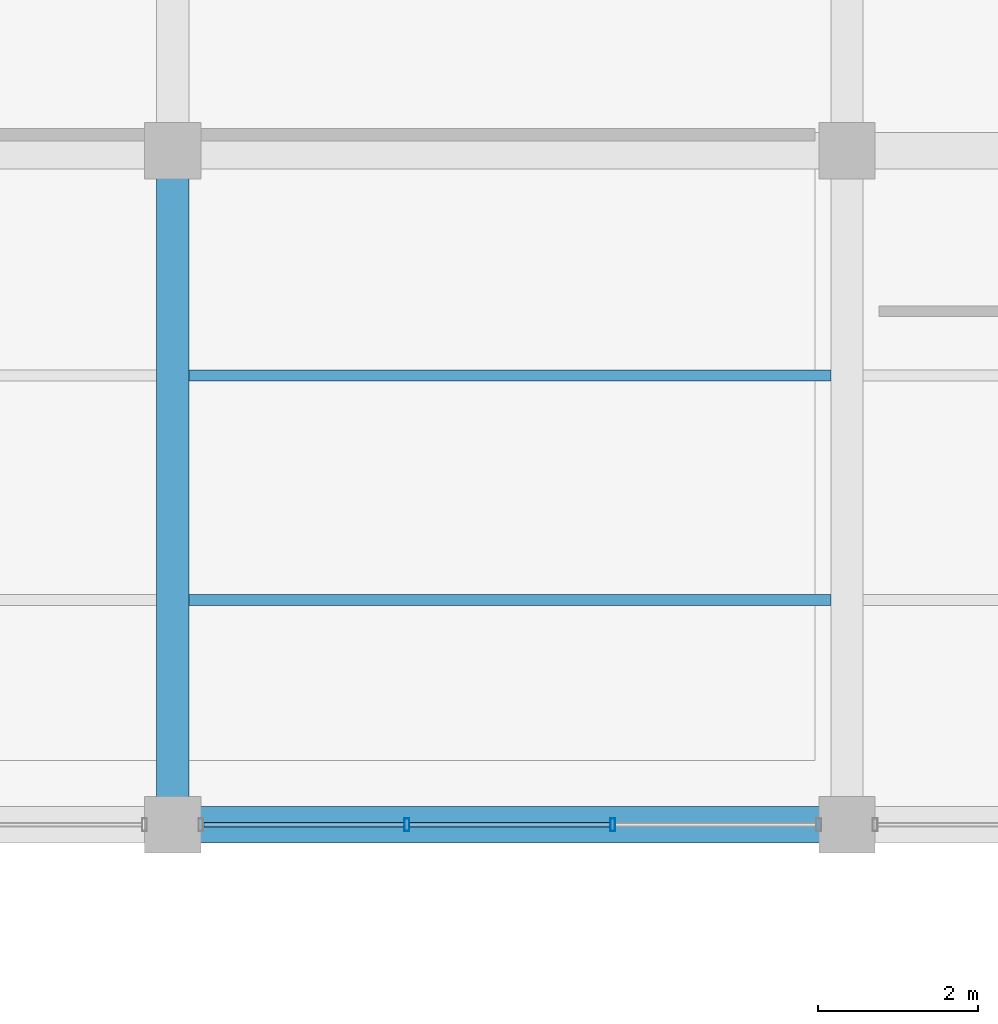
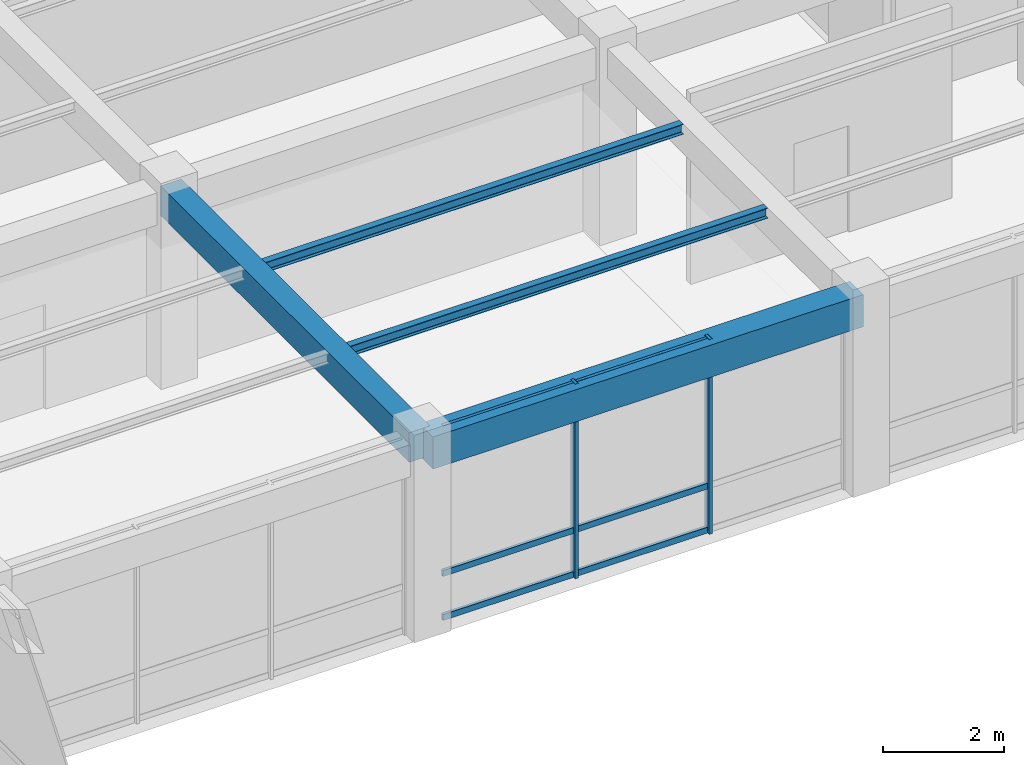
# One storey, part 14 of 152: 8 members, 4 beams, 1 element without a shape of its own.
"""IFC4 building model written with IfcOpenShell, lengths in metres."""

from ifc_helpers import new_model, si_unit, direction, frame, origin, origin_2d, place, context, subcontext, project, spatial, rectangle, hollow_rectangle, i_section, extrude, material, material_profile, profile_set, type_object, element, aggregate, save


model = new_model("IFC4")

# Units and contexts
model_context = context("Model", 3, precision=1e-05, world=origin(), true_north=direction((0.0, 1.0)))
body_context = subcontext(model_context, "Body", "Model", "MODEL_VIEW")
ifc_project = project(units=[si_unit("LENGTHUNIT", "METRE"), si_unit("AREAUNIT", "SQUARE_METRE"), si_unit("VOLUMEUNIT", "CUBIC_METRE"), si_unit("PLANEANGLEUNIT", "RADIAN"), si_unit("MASSUNIT", "GRAM", prefix="KILO"), si_unit("THERMODYNAMICTEMPERATUREUNIT", "KELVIN"), si_unit("POWERUNIT", "WATT")], contexts=[model_context])

# Site, building, storey
site_placement = place(None, origin())
site = spatial("IfcSite", under=ifc_project, at=site_placement, CompositionType="ELEMENT")
building_placement = place(site_placement, origin())
building = spatial("IfcBuilding", under=site, at=building_placement, Name="Darbajah Civic Hall", CompositionType="ELEMENT")
storey_placement = place(building_placement, frame((0.0, 0.0, 5.39990234375)))
storey = spatial("IfcBuildingStorey", under=building, at=storey_placement, Name="L01", CompositionType="ELEMENT", Elevation=5.39990234375)

# Curtain wall, members
ifc_material_1 = material(Name="Anodised Bronze Aluminium and Low-E Glazing", Category="aluminium")
curtain_wall_type = type_object("IfcCurtainWallType", Name="Unitised Curtain Wall CW-99 7700x3950", PredefinedType="USERDEFINED", material=ifc_material_1)
curtain_wall_placement = place(storey_placement, origin())
curtain_wall = element("IfcCurtainWall", 1, at=curtain_wall_placement, inside=storey, type_object=curtain_wall_type, Name="L01 unitised curtain wall CW-V5-L01-S2-B1", ObjectType="UNITISED CURTAIN WALL", PredefinedType="USERDEFINED")
ifc_material_2 = material(Name="Anodised Bronze Aluminium", Category="aluminium")
ifc_material_profile_1 = material_profile(ifc_material_2, hollow_rectangle(XDim=0.06005859375, YDim=0.159912109375, WallThickness=0.00341796875, at=origin_2d()), Name="ALU MULLION 60x160")
ifc_profile_set_1 = profile_set([ifc_material_profile_1], Name="Anodised Bronze Aluminium")
member_type_1 = type_object("IfcMemberType", Name="ALU MULLION 60x160", PredefinedType="MULLION", material=ifc_profile_set_1)
member_1_placement = place(storey_placement, frame((28.1171875, 16.800048828125, 0.0), z_axis=(0.0, 0.0, 1.0), x_axis=(1.0, 0.0, 0.0)))
member_1 = element("IfcMember", 2, at=member_1_placement, type_object=member_type_1, Name="CW-V5-L01-S2-B1 mullion 2", PredefinedType="MULLION", context=body_context, shape_type="SweptSolid", body=[
    extrude(hollow_rectangle(XDim=0.06005859375, YDim=0.159912109375, WallThickness=0.00341796875, at=origin_2d()), origin(), (0.0, 0.0, 1.0), 3.940185546875),
])
member_2_placement = place(storey_placement, frame((30.6826171875, 16.800048828125, 0.0), z_axis=(0.0, 0.0, 1.0), x_axis=(1.0, 0.0, 0.0)))
member_2 = element("IfcMember", 3, at=member_2_placement, type_object=member_type_1, Name="CW-V5-L01-S2-B1 mullion 3", PredefinedType="MULLION", context=body_context, shape_type="SweptSolid", body=[
    extrude(hollow_rectangle(XDim=0.06005859375, YDim=0.159912109375, WallThickness=0.00341796875, at=origin_2d()), origin(), (0.0, 0.0, 1.0), 3.940185546875),
])
ifc_material_profile_2 = material_profile(ifc_material_2, hollow_rectangle(XDim=0.06005859375, YDim=0.1201171875, WallThickness=0.003173828125, at=origin_2d()), Name="ALU TRANSOM 60x120")
ifc_profile_set_2 = profile_set([ifc_material_profile_2], Name="Anodised Bronze Aluminium")
member_type_2 = type_object("IfcMemberType", Name="ALU TRANSOM 60x120", PredefinedType="USERDEFINED", material=ifc_profile_set_2)
member_3_placement = place(storey_placement, frame((25.5869140625, 16.800048828125, 0.06005859375), z_axis=(1.0, 0.0, 0.0), x_axis=(0.0, 1.0, 0.0)))
member_3 = element("IfcMember", 4, at=member_3_placement, type_object=member_type_2, Name="CW-V5-L01-S2-B1 transom 1.1", ObjectType="TRANSOM", PredefinedType="USERDEFINED", context=body_context, shape_type="SweptSolid", body=[
    extrude(hollow_rectangle(XDim=0.06005859375, YDim=0.1201171875, WallThickness=0.003173828125, at=origin_2d()), origin(), (0.0, 0.0, 1.0), 2.495361328125),
])
member_4_placement = place(storey_placement, frame((25.5869140625, 16.800048828125, 0.9501953125), z_axis=(1.0, 0.0, 0.0), x_axis=(0.0, 1.0, 0.0)))
member_4 = element("IfcMember", 5, at=member_4_placement, type_object=member_type_2, Name="CW-V5-L01-S2-B1 transom 1.2", ObjectType="TRANSOM", PredefinedType="USERDEFINED", context=body_context, shape_type="SweptSolid", body=[
    extrude(hollow_rectangle(XDim=0.06005859375, YDim=0.1201171875, WallThickness=0.003173828125, at=origin_2d()), origin(), (0.0, 0.0, 1.0), 2.495361328125),
])
member_5_placement = place(storey_placement, frame((25.5869140625, 16.800048828125, 3.880126953125), z_axis=(1.0, 0.0, 0.0), x_axis=(0.0, 1.0, 0.0)))
member_5 = element("IfcMember", 6, at=member_5_placement, type_object=member_type_2, Name="CW-V5-L01-S2-B1 transom 1.3", ObjectType="TRANSOM", PredefinedType="USERDEFINED", context=body_context, shape_type="SweptSolid", body=[
    extrude(hollow_rectangle(XDim=0.06005859375, YDim=0.1201171875, WallThickness=0.003173828125, at=origin_2d()), origin(), (0.0, 0.0, 1.0), 2.495361328125),
])
member_6_placement = place(storey_placement, frame((28.15234375, 16.800048828125, 0.06005859375), z_axis=(1.0, 0.0, 0.0), x_axis=(0.0, 1.0, 0.0)))
member_6 = element("IfcMember", 7, at=member_6_placement, type_object=member_type_2, Name="CW-V5-L01-S2-B1 transom 2.1", ObjectType="TRANSOM", PredefinedType="USERDEFINED", context=body_context, shape_type="SweptSolid", body=[
    extrude(hollow_rectangle(XDim=0.06005859375, YDim=0.1201171875, WallThickness=0.003173828125, at=origin_2d()), origin(), (0.0, 0.0, 1.0), 2.495361328125),
])
member_7_placement = place(storey_placement, frame((28.15234375, 16.800048828125, 0.9501953125), z_axis=(1.0, 0.0, 0.0), x_axis=(0.0, 1.0, 0.0)))
member_7 = element("IfcMember", 8, at=member_7_placement, type_object=member_type_2, Name="CW-V5-L01-S2-B1 transom 2.2", ObjectType="TRANSOM", PredefinedType="USERDEFINED", context=body_context, shape_type="SweptSolid", body=[
    extrude(hollow_rectangle(XDim=0.06005859375, YDim=0.1201171875, WallThickness=0.003173828125, at=origin_2d()), origin(), (0.0, 0.0, 1.0), 2.495361328125),
])
member_8_placement = place(storey_placement, frame((28.15234375, 16.800048828125, 3.880126953125), z_axis=(1.0, 0.0, 0.0), x_axis=(0.0, 1.0, 0.0)))
member_8 = element("IfcMember", 9, at=member_8_placement, type_object=member_type_2, Name="CW-V5-L01-S2-B1 transom 2.3", ObjectType="TRANSOM", PredefinedType="USERDEFINED", context=body_context, shape_type="SweptSolid", body=[
    extrude(hollow_rectangle(XDim=0.06005859375, YDim=0.1201171875, WallThickness=0.003173828125, at=origin_2d()), origin(), (0.0, 0.0, 1.0), 2.495361328125),
])
aggregate(curtain_wall, [member_1, member_2, member_3, member_4, member_5, member_6, member_7, member_8])

# Beams
ifc_material_3 = material(Name="Concrete C45/55", Category="concrete")
ifc_material_profile_3 = material_profile(ifc_material_3, rectangle(XDim=0.39990234375, YDim=0.60009765625, at=origin_2d()), Name="RC BEAM 400x600")
ifc_profile_set_3 = profile_set([ifc_material_profile_3], Name="Concrete C45/55")
beam_type_1 = type_object("IfcBeamType", Name="RC BEAM 400x600", PredefinedType="BEAM", material=ifc_profile_set_3)
beam_1_placement = place(storey_placement, frame((25.199951171875, 16.8798828125, 3.64013671875), z_axis=(0.0, 1.0, 0.0), x_axis=(-1.0, 0.0, 0.0)))
element("IfcBeam", 10, at=beam_1_placement, inside=storey, type_object=beam_type_1, Name="L01 beam BM-4060", PredefinedType="BEAM", context=body_context, shape_type="SweptSolid", body=[
    extrude(rectangle(XDim=0.39990234375, YDim=0.60009765625, at=origin_2d()), origin(), (0.0, 0.0, 1.0), 8.240234375),
])
ifc_material_profile_4 = material_profile(ifc_material_3, rectangle(XDim=0.449951171875, YDim=0.64990234375, at=origin_2d()), Name="RC BEAM 450x650")
ifc_profile_set_4 = profile_set([ifc_material_profile_4], Name="Concrete C45/55")
beam_type_2 = type_object("IfcBeamType", Name="RC BEAM 450x650", PredefinedType="BEAM", material=ifc_profile_set_4)
beam_2_placement = place(storey_placement, frame((25.280029296875, 16.800048828125, 3.614990234375), z_axis=(1.0, 0.0, 0.0), x_axis=(0.0, 1.0, 0.0)))
element("IfcBeam", 11, at=beam_2_placement, inside=storey, type_object=beam_type_2, Name="L01 beam BM-4565", PredefinedType="BEAM", context=body_context, shape_type="SweptSolid", body=[
    extrude(rectangle(XDim=0.449951171875, YDim=0.64990234375, at=origin_2d()), origin(), (0.0, 0.0, 1.0), 8.239990234375),
])
ifc_material_4 = material(Name="Steel S355JR", Category="steel")
ifc_material_profile_5 = material_profile(ifc_material_4, i_section(OverallWidth=0.1337890625, OverallDepth=0.206787109375, WebThickness=0.00634765625, FlangeThickness=0.009521484375, FilletRadius=0.007568359375, at=origin_2d()), Name="UB 203x133x30")
ifc_profile_set_5 = profile_set([ifc_material_profile_5], Name="Steel S355JR")
beam_type_3 = type_object("IfcBeamType", Name="UB 203x133x30", PredefinedType="JOIST", material=ifc_profile_set_5)
for number, where, z_axis, x_axis, name in (
    (12, (25.39990234375, 19.60009765625, 3.836669921875), (1.0, 0.0, 0.0), (0.0, 1.0, 0.0), "L01 beam SJ-203"),
    (13, (25.39990234375, 22.39990234375, 3.836669921875), (1.0, 0.0, 0.0), (0.0, 1.0, 0.0), "L01 beam SJ-203"),
):
    element("IfcBeam", number, at=place(storey_placement, frame(where, z_axis=z_axis, x_axis=x_axis)), inside=storey, type_object=beam_type_3, Name=name, PredefinedType="JOIST", context=body_context, shape_type="SweptSolid", body=[
        extrude(i_section(OverallWidth=0.1337890625, OverallDepth=0.206787109375, WebThickness=0.00634765625, FlangeThickness=0.009521484375, FilletRadius=0.007568359375, at=origin_2d()), origin(), (0.0, 0.0, 1.0), 8.0),
    ])

save(model, "model.ifc")
